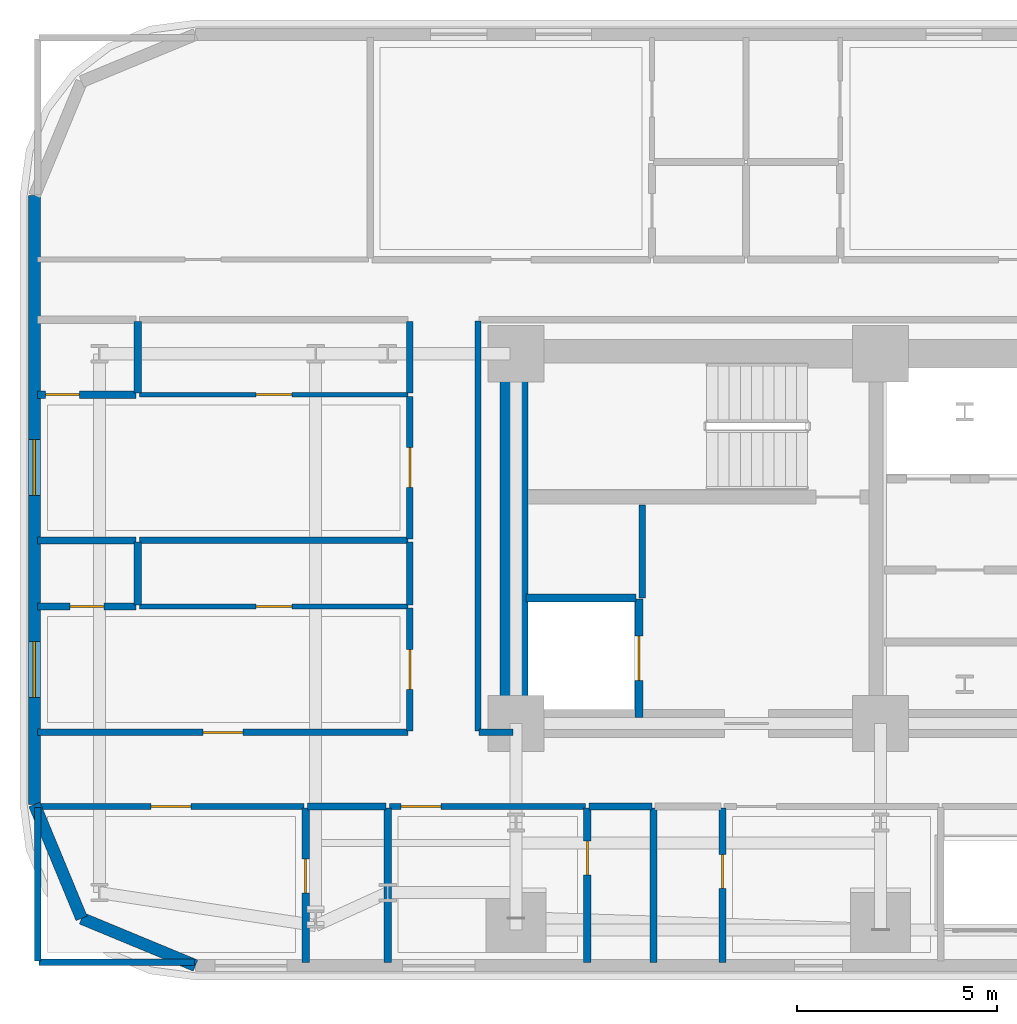
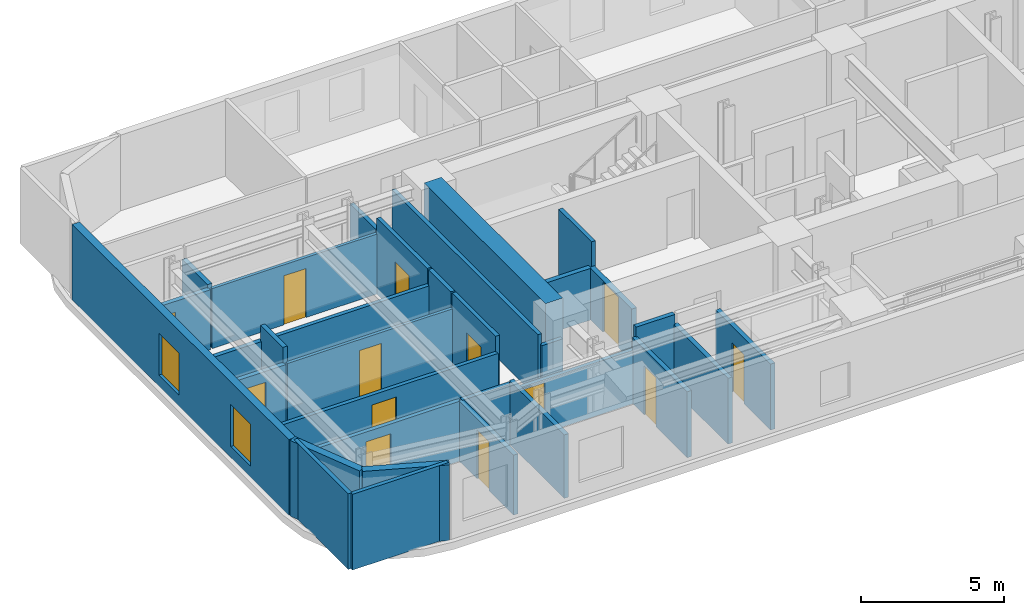
# One storey, part 7 of 15: 33 walls, 13 doors, 2 windows, 15 openings.
"""IFC4 building model written with IfcOpenShell, lengths in metres."""

from ifc_helpers import new_model, si_unit, direction, frame, frame_2d, origin, place, context, subcontext, project, spatial, rectangle, extrude, material, layer, layer_set, type_object, element, fill, save


model = new_model("IFC4")

# Units and contexts
model_context = context("Model", 3, precision=1e-05, world=origin(), true_north=direction((0.0, 1.0)))
body_context = subcontext(model_context, "Body", "Model", "MODEL_VIEW")
ifc_project = project(units=[si_unit("LENGTHUNIT", "METRE"), si_unit("AREAUNIT", "SQUARE_METRE"), si_unit("VOLUMEUNIT", "CUBIC_METRE"), si_unit("PLANEANGLEUNIT", "RADIAN"), si_unit("MASSUNIT", "GRAM", prefix="KILO")], contexts=[model_context])

# Site, building, storey
site_placement = place(None, origin())
site = spatial("IfcSite", under=ifc_project, at=site_placement, CompositionType="ELEMENT")
building_placement = place(site_placement, origin())
building = spatial("IfcBuilding", under=site, at=building_placement, Name="Zarnavel Station Tower", CompositionType="ELEMENT")
storey_placement = place(building_placement, frame((0.0, 0.0, 36.0)))
storey = spatial("IfcBuildingStorey", under=building, at=storey_placement, Name="L09", CompositionType="ELEMENT", Elevation=36.0)

# Wall
ifc_material_1 = material(Name="Concrete C60/75", Category="concrete")
ifc_layer_1 = layer(ifc_material_1, 0.699951171875)
ifc_layer_set_1 = layer_set([ifc_layer_1], Name="CW_700")
wall_type_1 = type_object("IfcWallType", Name="CW_700", PredefinedType="SHEAR", material=ifc_layer_set_1)
wall_1_placement = place(storey_placement, frame((12.14990234375, 28.169921875, 0.0), z_axis=(0.0, 0.0, 1.0), x_axis=(0.0, 1.0, 0.0)))
element("IfcWall", 1, at=wall_1_placement, inside=storey, type_object=wall_type_1, Name="L09 Rear Core Shear Wall W", PredefinedType="SHEAR", context=body_context, shape_type="SweptSolid", body=[
    extrude(rectangle(XDim=8.530029296875, YDim=0.699951171875, at=frame_2d((4.26513671875, 0.0))), origin(), (0.0, 0.0, 1.0), 3.5),
])

# Wall, openings, windows
ifc_material_2 = material(Name="Precast concrete C45/55 (Dark Basalt Finish)", Category="masonry")
ifc_layer_2 = layer(ifc_material_2, 0.300048828125)
ifc_layer_set_2 = layer_set([ifc_layer_2], Name="EW_BASALT_300")
wall_type_2 = type_object("IfcWallType", Name="EW_BASALT_300", PredefinedType="SOLIDWALL", material=ifc_layer_set_2)
wall_2_placement = place(storey_placement, frame((0.179931640625, 25.800048828125, 0.0), z_axis=(0.0, 0.0, 1.0), x_axis=(0.0, 1.0, 0.0)))
wall_2 = element("IfcWall", 2, at=wall_2_placement, inside=storey, type_object=wall_type_2, Name="L09 Exterior Basalt Masonry Frame Wall 09", PredefinedType="SOLIDWALL", context=body_context, shape_type="SweptSolid", body=[
    extrude(rectangle(XDim=15.199951171875, YDim=0.300048828125, at=frame_2d((7.60009765625, 0.0))), origin(), (0.0, 0.0, 1.0), 3.239990234375),
])
opening_1_placement = place(wall_2_placement, frame((2.67041015625, 0.0, 0.47998046875)))
opening_1 = element("IfcOpeningElement", 3, at=opening_1_placement, cuts=wall_2, Name="Opening WN01", PredefinedType="OPENING", context=body_context, shape_type="SweptSolid", body=[
    extrude(rectangle(XDim=1.39990234375, YDim=1.800048828125, at=frame_2d((0.699951171875, 0.89990234375))), frame((0.0, 0.159912109375, 0.0), z_axis=(0.0, -1.0, 0.0), x_axis=(1.0, 0.0, 0.0)), (0.0, 0.0, 1.0), 0.320068359375),
])
opening_2_placement = place(wall_2_placement, frame((7.708984375, 0.0, 0.47998046875)))
opening_2 = element("IfcOpeningElement", 4, at=opening_2_placement, cuts=wall_2, Name="Opening WN01", PredefinedType="OPENING", context=body_context, shape_type="SweptSolid", body=[
    extrude(rectangle(XDim=1.39990234375, YDim=1.800048828125, at=frame_2d((0.699951171875, 0.89990234375))), frame((0.0, 0.159912109375, 0.0), z_axis=(0.0, -1.0, 0.0), x_axis=(1.0, 0.0, 0.0)), (0.0, 0.0, 1.0), 0.320068359375),
])
ifc_material_3 = material(Name="Thermally Broken Black Aluminium and Low-E Dark Glass", Category="aluminium")
window_type = type_object("IfcWindowType", Name="WN_1400x1800", PartitioningType="DOUBLE_PANEL_VERTICAL", PredefinedType="WINDOW", material=ifc_material_3)
window_1_placement = place(opening_1_placement, origin())
window_1 = element("IfcWindow", 5, at=window_1_placement, inside=storey, type_object=window_type, Name="L09 Recessed Facade Window 01", OverallHeight=1.800048828125, OverallWidth=1.39990234375, PartitioningType="SINGLE_PANEL", PredefinedType="WINDOW", context=body_context, shape_type="SweptSolid", body=[
    extrude(rectangle(XDim=1.39990234375, YDim=1.800048828125, at=frame_2d((0.699951171875, 0.89990234375))), frame((0.0, 0.030029296875, 0.0), z_axis=(0.0, -1.0, 0.0), x_axis=(1.0, 0.0, 0.0)), (0.0, 0.0, 1.0), 0.06005859375),
])
fill(opening_1, window_1)
window_2_placement = place(opening_2_placement, origin())
window_2 = element("IfcWindow", 6, at=window_2_placement, inside=storey, type_object=window_type, Name="L09 Recessed Facade Window 02", OverallHeight=1.800048828125, OverallWidth=1.39990234375, PartitioningType="SINGLE_PANEL", PredefinedType="WINDOW", context=body_context, shape_type="SweptSolid", body=[
    extrude(rectangle(XDim=1.39990234375, YDim=1.800048828125, at=frame_2d((0.699951171875, 0.89990234375))), frame((0.0, 0.030029296875, 0.0), z_axis=(0.0, -1.0, 0.0), x_axis=(1.0, 0.0, 0.0)), (0.0, 0.0, 1.0), 0.06005859375),
])
fill(opening_2, window_2)

# Walls
for number, where, z_axis, x_axis, name in (
    (7, (1.357421875, 22.95751953125, 0.0), (0.0, 0.0, 1.0), (-0.382704529509, 0.923870793506, 0.0), "L09 Exterior Basalt Masonry Frame Wall 10"),
    (8, (4.199951171875, 21.780029296875, 0.0), (0.0, 0.0, 1.0), (-0.923870793506, 0.382704529509, 0.0), "L09 Exterior Basalt Masonry Frame Wall 11"),
):
    element("IfcWall", number, at=place(storey_placement, frame(where, z_axis=z_axis, x_axis=x_axis)), inside=storey, type_object=wall_type_2, Name=name, PredefinedType="SOLIDWALL", context=body_context, shape_type="SweptSolid", body=[
        extrude(rectangle(XDim=3.07666015625, YDim=0.300048828125, at=frame_2d((1.538330078125, 0.0))), origin(), (0.0, 0.0, 1.0), 3.239990234375),
    ])

# Wall, opening, door
ifc_material_4 = material(Name="Gypsum Twin-Stud Acoustic Fire Partition", Category="concrete")
ifc_layer_3 = layer(ifc_material_4, 0.159912109375)
ifc_layer_set_3 = layer_set([ifc_layer_3], Name="PT_DEMISE_160")
wall_type_3 = type_object("IfcWallType", Name="PT_DEMISE_160", PredefinedType="PARTITIONING", material=ifc_layer_set_3)
wall_3_placement = place(storey_placement, frame((0.260009765625, 27.60009765625, 0.0), z_axis=(0.0, 0.0, 1.0), x_axis=(1.0, 0.0, 0.0)))
wall_3 = element("IfcWall", 9, at=wall_3_placement, inside=storey, type_object=wall_type_3, Name="L09 Partition COR-S-FNW1R", PredefinedType="PARTITIONING", context=body_context, shape_type="SweptSolid", body=[
    extrude(rectangle(XDim=9.25, YDim=0.159912109375, at=frame_2d((4.625, 0.0))), origin(), (0.0, 0.0, 1.0), 2.570068359375),
])
opening_3_placement = place(wall_3_placement, frame((4.125, 0.0, 0.0)))
opening_3 = element("IfcOpeningElement", 10, at=opening_3_placement, cuts=wall_3, Name="Opening FD02", PredefinedType="OPENING", context=body_context, shape_type="SweptSolid", body=[
    extrude(rectangle(XDim=1.0, YDim=2.14990234375, at=frame_2d((0.5, 1.074951171875))), frame((0.0, 0.08984375, 0.0), z_axis=(0.0, -1.0, 0.0), x_axis=(1.0, 0.0, 0.0)), (0.0, 0.0, 1.0), 0.179931640625),
])
ifc_material_5 = material(Name="Painted Galvanised Steel and Hardwood Leaf", Category="steel")
door_type_1 = type_object("IfcDoorType", Name="ID_ENTRY_1000", OperationType="NOTDEFINED", PredefinedType="DOOR", material=ifc_material_5)
door_1_placement = place(opening_3_placement, origin())
door_1 = element("IfcDoor", 11, at=door_1_placement, inside=storey, type_object=door_type_1, Name="L09 Door COR-S-FNW1R", OperationType="SINGLE_SWING_RIGHT", OverallHeight=2.14990234375, OverallWidth=1.0, PredefinedType="DOOR", context=body_context, shape_type="SweptSolid", body=[
    extrude(rectangle(XDim=1.0, YDim=2.14990234375, at=frame_2d((0.5, 1.074951171875))), frame((0.0, 0.02490234375, 0.0), z_axis=(0.0, -1.0, 0.0), x_axis=(1.0, 0.0, 0.0)), (0.0, 0.0, 1.0), 0.050048828125),
])
fill(opening_3, door_1)

wall_4_placement = place(storey_placement, frame((0.260009765625, 25.75, 0.0), z_axis=(0.0, 0.0, 1.0), x_axis=(1.0, 0.0, 0.0)))
wall_4 = element("IfcWall", 12, at=wall_4_placement, inside=storey, type_object=wall_type_3, Name="L09 Partition COR-S-HW1R", PredefinedType="PARTITIONING", context=body_context, shape_type="SweptSolid", body=[
    extrude(rectangle(XDim=6.64990234375, YDim=0.159912109375, at=frame_2d((3.324951171875, 0.0))), origin(), (0.0, 0.0, 1.0), 2.570068359375),
])
opening_4_placement = place(wall_4_placement, frame((2.824951171875, 0.0, 0.0)))
opening_4 = element("IfcOpeningElement", 13, at=opening_4_placement, cuts=wall_4, Name="Opening FD02", PredefinedType="OPENING", context=body_context, shape_type="SweptSolid", body=[
    extrude(rectangle(XDim=1.0, YDim=2.14990234375, at=frame_2d((0.5, 1.074951171875))), frame((0.0, 0.08984375, 0.0), z_axis=(0.0, -1.0, 0.0), x_axis=(1.0, 0.0, 0.0)), (0.0, 0.0, 1.0), 0.179931640625),
])
door_2_placement = place(opening_4_placement, origin())
door_2 = element("IfcDoor", 14, at=door_2_placement, inside=storey, type_object=door_type_1, Name="L09 Door COR-S-HW1R", OperationType="SINGLE_SWING_RIGHT", OverallHeight=2.14990234375, OverallWidth=1.0, PredefinedType="DOOR", context=body_context, shape_type="SweptSolid", body=[
    extrude(rectangle(XDim=1.0, YDim=2.14990234375, at=frame_2d((0.5, 1.074951171875))), frame((0.0, 0.02490234375, 0.0), z_axis=(0.0, -1.0, 0.0), x_axis=(1.0, 0.0, 0.0)), (0.0, 0.0, 1.0), 0.050048828125),
])
fill(opening_4, door_2)

wall_5_placement = place(storey_placement, frame((9.0400390625, 25.75, 0.0), z_axis=(0.0, 0.0, 1.0), x_axis=(1.0, 0.0, 0.0)))
wall_5 = element("IfcWall", 15, at=wall_5_placement, inside=storey, type_object=wall_type_3, Name="L09 Partition COR-S-HW2R", PredefinedType="PARTITIONING", context=body_context, shape_type="SweptSolid", body=[
    extrude(rectangle(XDim=4.89892578125, YDim=0.159912109375, at=frame_2d((2.449462890625, 0.0))), origin(), (0.0, 0.0, 1.0), 2.280029296875),
])
opening_5_placement = place(wall_5_placement, frame((0.290771484375, 0.0, 0.0)))
opening_5 = element("IfcOpeningElement", 16, at=opening_5_placement, cuts=wall_5, Name="Opening FD02", PredefinedType="OPENING", context=body_context, shape_type="SweptSolid", body=[
    extrude(rectangle(XDim=1.0, YDim=2.14990234375, at=frame_2d((0.5, 1.074951171875))), frame((0.0, 0.08984375, 0.0), z_axis=(0.0, -1.0, 0.0), x_axis=(1.0, 0.0, 0.0)), (0.0, 0.0, 1.0), 0.179931640625),
])
door_3_placement = place(opening_5_placement, origin())
door_3 = element("IfcDoor", 17, at=door_3_placement, inside=storey, type_object=door_type_1, Name="L09 Door COR-S-HW2R", OperationType="SINGLE_SWING_LEFT", OverallHeight=2.14990234375, OverallWidth=1.0, PredefinedType="DOOR", context=body_context, shape_type="SweptSolid", body=[
    extrude(rectangle(XDim=1.0, YDim=2.14990234375, at=frame_2d((0.5, 1.074951171875))), frame((0.0, 0.02490234375, 0.0), z_axis=(0.0, -1.0, 0.0), x_axis=(1.0, 0.0, 0.0)), (0.0, 0.0, 1.0), 0.050048828125),
])
fill(opening_5, door_3)

wall_6_placement = place(storey_placement, frame((9.550048828125, 27.639892578125, 0.0), z_axis=(0.0, 0.0, 1.0), x_axis=(0.0, 1.0, 0.0)))
wall_6 = element("IfcWall", 18, at=wall_6_placement, inside=storey, type_object=wall_type_3, Name="L09 Partition COR-W-FNW1R", PredefinedType="PARTITIONING", context=body_context, shape_type="SweptSolid", body=[
    extrude(rectangle(XDim=3.06103515625, YDim=0.159912109375, at=frame_2d((1.530517578125, 0.0))), origin(), (0.0, 0.0, 1.0), 3.239990234375),
])
opening_6_placement = place(wall_6_placement, frame((1.030517578125, 0.0, 0.0)))
opening_6 = element("IfcOpeningElement", 19, at=opening_6_placement, cuts=wall_6, Name="Opening FD02", PredefinedType="OPENING", context=body_context, shape_type="SweptSolid", body=[
    extrude(rectangle(XDim=1.0, YDim=2.14990234375, at=frame_2d((0.5, 1.074951171875))), frame((0.0, 0.08984375, 0.0), z_axis=(0.0, -1.0, 0.0), x_axis=(1.0, 0.0, 0.0)), (0.0, 0.0, 1.0), 0.179931640625),
])
door_4_placement = place(opening_6_placement, origin())
door_4 = element("IfcDoor", 20, at=door_4_placement, inside=storey, type_object=door_type_1, Name="L09 Door COR-W-FNW1R", OperationType="SINGLE_SWING_RIGHT", OverallHeight=2.14990234375, OverallWidth=1.0, PredefinedType="DOOR", context=body_context, shape_type="SweptSolid", body=[
    extrude(rectangle(XDim=1.0, YDim=2.14990234375, at=frame_2d((0.5, 1.074951171875))), frame((0.0, 0.02490234375, 0.0), z_axis=(0.0, -1.0, 0.0), x_axis=(1.0, 0.0, 0.0)), (0.0, 0.0, 1.0), 0.050048828125),
])
fill(opening_6, door_4)

# Wall
wall_7_placement = place(storey_placement, frame((9.550048828125, 30.781005859375, 0.0), z_axis=(0.0, 0.0, 1.0), x_axis=(0.0, 1.0, 0.0)))
element("IfcWall", 21, at=wall_7_placement, inside=storey, type_object=wall_type_3, Name="L09 Partition COR-W-FNW1S", PredefinedType="PARTITIONING", context=body_context, shape_type="SweptSolid", body=[
    extrude(rectangle(XDim=1.570068359375, YDim=0.159912109375, at=frame_2d((0.78515625, 0.0))), origin(), (0.0, 0.0, 1.0), 3.239990234375),
])

# Wall, opening, door
wall_8_placement = place(storey_placement, frame((9.550048828125, 32.430908203125, 0.0), z_axis=(0.0, 0.0, 1.0), x_axis=(0.0, 1.0, 0.0)))
wall_8 = element("IfcWall", 22, at=wall_8_placement, inside=storey, type_object=wall_type_3, Name="L09 Partition COR-W-FNW2R", PredefinedType="PARTITIONING", context=body_context, shape_type="SweptSolid", body=[
    extrude(rectangle(XDim=3.55615234375, YDim=0.159912109375, at=frame_2d((1.778076171875, 0.0))), origin(), (0.0, 0.0, 1.0), 3.239990234375),
])
opening_7_placement = place(wall_8_placement, frame((1.278076171875, 0.0, 0.0)))
opening_7 = element("IfcOpeningElement", 23, at=opening_7_placement, cuts=wall_8, Name="Opening FD02", PredefinedType="OPENING", context=body_context, shape_type="SweptSolid", body=[
    extrude(rectangle(XDim=1.0, YDim=2.14990234375, at=frame_2d((0.5, 1.074951171875))), frame((0.0, 0.08984375, 0.0), z_axis=(0.0, -1.0, 0.0), x_axis=(1.0, 0.0, 0.0)), (0.0, 0.0, 1.0), 0.179931640625),
])
door_5_placement = place(opening_7_placement, origin())
door_5 = element("IfcDoor", 24, at=door_5_placement, inside=storey, type_object=door_type_1, Name="L09 Door COR-W-FNW2R", OperationType="SINGLE_SWING_LEFT", OverallHeight=2.14990234375, OverallWidth=1.0, PredefinedType="DOOR", context=body_context, shape_type="SweptSolid", body=[
    extrude(rectangle(XDim=1.0, YDim=2.14990234375, at=frame_2d((0.5, 1.074951171875))), frame((0.0, 0.02490234375, 0.0), z_axis=(0.0, -1.0, 0.0), x_axis=(1.0, 0.0, 0.0)), (0.0, 0.0, 1.0), 0.050048828125),
])
fill(opening_7, door_5)

# Walls
wall_9_placement = place(storey_placement, frame((9.550048828125, 36.06689453125, 0.0), z_axis=(0.0, 0.0, 1.0), x_axis=(0.0, 1.0, 0.0)))
element("IfcWall", 25, at=wall_9_placement, inside=storey, type_object=wall_type_3, Name="L09 Partition COR-W-FNW2S", PredefinedType="PARTITIONING", context=body_context, shape_type="SweptSolid", body=[
    extrude(rectangle(XDim=1.793212890625, YDim=0.159912109375, at=frame_2d((0.896484375, 0.0))), origin(), (0.0, 0.0, 1.0), 2.719970703125),
])
wall_10_placement = place(storey_placement, frame((2.800048828125, 32.39111328125, 0.0), z_axis=(0.0, 0.0, 1.0), x_axis=(1.0, 0.0, 0.0)))
element("IfcWall", 26, at=wall_10_placement, inside=storey, type_object=wall_type_3, Name="L09 Partition FNW1S-FNW2R", PredefinedType="PARTITIONING", context=body_context, shape_type="SweptSolid", body=[
    extrude(rectangle(XDim=6.7099609375, YDim=0.159912109375, at=frame_2d((3.35498046875, 0.0))), origin(), (0.0, 0.0, 1.0), 2.570068359375),
])
wall_11_placement = place(storey_placement, frame((15.35009765625, 30.9599609375, 0.0), z_axis=(0.0, 0.0, 1.0), x_axis=(0.0, 1.0, 0.0)))
element("IfcWall", 27, at=wall_11_placement, inside=storey, type_object=wall_type_3, Name="L09 Enclosure Wall FFL1", PredefinedType="PARTITIONING", context=body_context, shape_type="SweptSolid", body=[
    extrude(rectangle(XDim=2.31005859375, YDim=0.159912109375, at=frame_2d((1.155029296875, 0.0))), origin(), (0.0, 0.0, 1.0), 3.239990234375),
])
wall_12_placement = place(storey_placement, frame((11.280029296875, 27.60009765625, 0.0), z_axis=(0.0, 0.0, 1.0), x_axis=(1.0, 0.0, 0.0)))
element("IfcWall", 28, at=wall_12_placement, inside=storey, type_object=wall_type_3, Name="L09 Enclosure Wall COR-S", PredefinedType="PARTITIONING", context=body_context, shape_type="SweptSolid", body=[
    extrude(rectangle(XDim=0.840087890625, YDim=0.159912109375, at=frame_2d((0.419921875, 0.0))), origin(), (0.0, 0.0, 1.0), 2.280029296875),
])
wall_13_placement = place(storey_placement, frame((11.25, 27.6298828125, 0.0), z_axis=(0.0, 0.0, 1.0), x_axis=(0.0, 1.0, 0.0)))
element("IfcWall", 29, at=wall_13_placement, inside=storey, type_object=wall_type_3, Name="L09 Enclosure Wall COR-W", PredefinedType="PARTITIONING", context=body_context, shape_type="SweptSolid", body=[
    extrude(rectangle(XDim=10.240234375, YDim=0.159912109375, at=frame_2d((5.1201171875, 0.0))), origin(), (0.0, 0.0, 1.0), 2.719970703125),
])
wall_14_placement = place(storey_placement, frame((0.2900390625, 21.860107421875, 0.0), z_axis=(0.0, 0.0, 1.0), x_axis=(1.0, 0.0, 0.0)))
element("IfcWall", 30, at=wall_14_placement, inside=storey, type_object=wall_type_3, Name="L09 Enclosure Wall HW1R", PredefinedType="PARTITIONING", context=body_context, shape_type="SweptSolid", body=[
    extrude(rectangle(XDim=3.8798828125, YDim=0.159912109375, at=frame_2d((1.93994140625, 0.0))), origin(), (0.0, 0.0, 1.0), 3.239990234375),
])
wall_15_placement = place(storey_placement, frame((0.260009765625, 21.889892578125, 0.0), z_axis=(0.0, 0.0, 1.0), x_axis=(0.0, 1.0, 0.0)))
element("IfcWall", 31, at=wall_15_placement, inside=storey, type_object=wall_type_3, Name="L09 Enclosure Wall HW1R", PredefinedType="PARTITIONING", context=body_context, shape_type="SweptSolid", body=[
    extrude(rectangle(XDim=3.830078125, YDim=0.159912109375, at=frame_2d((1.9150390625, 0.0))), origin(), (0.0, 0.0, 1.0), 3.239990234375),
])

# Wall, opening, door
ifc_material_6 = material(Name="Gypsum Metal-Stud Interior Partition", Category="concrete")
ifc_layer_4 = layer(ifc_material_6, 0.1201171875)
ifc_layer_set_4 = layer_set([ifc_layer_4], Name="PT_ROOM_120")
wall_type_4 = type_object("IfcWallType", Name="PT_ROOM_120", PredefinedType="PARTITIONING", material=ifc_layer_set_4)
wall_16_placement = place(storey_placement, frame((2.800048828125, 30.740966796875, 0.0), z_axis=(0.0, 0.0, 1.0), x_axis=(1.0, 0.0, 0.0)))
wall_16 = element("IfcWall", 32, at=wall_16_placement, inside=storey, type_object=wall_type_4, Name="L09 Partition FNW1R-FNW1S", PredefinedType="PARTITIONING", context=body_context, shape_type="SweptSolid", body=[
    extrude(rectangle(XDim=6.7099609375, YDim=0.1201171875, at=frame_2d((3.35498046875, 0.0))), origin(), (0.0, 0.0, 1.0), 2.570068359375),
])
opening_8_placement = place(wall_16_placement, frame((2.905029296875, 0.0, 0.0)))
opening_8 = element("IfcOpeningElement", 33, at=opening_8_placement, cuts=wall_16, Name="Opening ID01", PredefinedType="OPENING", context=body_context, shape_type="SweptSolid", body=[
    extrude(rectangle(XDim=0.89990234375, YDim=2.10009765625, at=frame_2d((0.449951171875, 1.050048828125))), frame((0.0, 0.070068359375, 0.0), z_axis=(0.0, -1.0, 0.0), x_axis=(1.0, 0.0, 0.0)), (0.0, 0.0, 1.0), 0.14013671875),
])
ifc_material_7 = material(Name="Painted Galvanised Steel and Hardwood Leaf", Category="steel")
door_type_2 = type_object("IfcDoorType", Name="ID_ROOM_900", OperationType="NOTDEFINED", PredefinedType="DOOR", material=ifc_material_7)
door_6_placement = place(opening_8_placement, origin())
door_6 = element("IfcDoor", 34, at=door_6_placement, inside=storey, type_object=door_type_2, Name="L09 Door FNW1R-FNW1S", OperationType="SINGLE_SWING_LEFT", OverallHeight=2.10009765625, OverallWidth=0.89990234375, PredefinedType="DOOR", context=body_context, shape_type="SweptSolid", body=[
    extrude(rectangle(XDim=0.89990234375, YDim=2.10009765625, at=frame_2d((0.449951171875, 1.050048828125))), frame((0.0, 0.02490234375, 0.0), z_axis=(0.0, -1.0, 0.0), x_axis=(1.0, 0.0, 0.0)), (0.0, 0.0, 1.0), 0.050048828125),
])
fill(opening_8, door_6)

wall_17_placement = place(storey_placement, frame((2.800048828125, 36.027099609375, 0.0), z_axis=(0.0, 0.0, 1.0), x_axis=(1.0, 0.0, 0.0)))
wall_17 = element("IfcWall", 35, at=wall_17_placement, inside=storey, type_object=wall_type_4, Name="L09 Partition FNW2R-FNW2S", PredefinedType="PARTITIONING", context=body_context, shape_type="SweptSolid", body=[
    extrude(rectangle(XDim=6.7099609375, YDim=0.1201171875, at=frame_2d((3.35498046875, 0.0))), origin(), (0.0, 0.0, 1.0), 2.570068359375),
])
opening_9_placement = place(wall_17_placement, frame((2.905029296875, 0.0, 0.0)))
opening_9 = element("IfcOpeningElement", 36, at=opening_9_placement, cuts=wall_17, Name="Opening ID01", PredefinedType="OPENING", context=body_context, shape_type="SweptSolid", body=[
    extrude(rectangle(XDim=0.89990234375, YDim=2.10009765625, at=frame_2d((0.449951171875, 1.050048828125))), frame((0.0, 0.070068359375, 0.0), z_axis=(0.0, -1.0, 0.0), x_axis=(1.0, 0.0, 0.0)), (0.0, 0.0, 1.0), 0.14013671875),
])
door_7_placement = place(opening_9_placement, origin())
door_7 = element("IfcDoor", 37, at=door_7_placement, inside=storey, type_object=door_type_2, Name="L09 Door FNW2R-FNW2S", OperationType="SINGLE_SWING_LEFT", OverallHeight=2.10009765625, OverallWidth=0.89990234375, PredefinedType="DOOR", context=body_context, shape_type="SweptSolid", body=[
    extrude(rectangle(XDim=0.89990234375, YDim=2.10009765625, at=frame_2d((0.449951171875, 1.050048828125))), frame((0.0, 0.02490234375, 0.0), z_axis=(0.0, -1.0, 0.0), x_axis=(1.0, 0.0, 0.0)), (0.0, 0.0, 1.0), 0.050048828125),
])
fill(opening_9, door_7)

ifc_material_8 = material(Name="Precast concrete C45/55 (Fire Shaft Blockwork)", Category="masonry")
ifc_layer_5 = layer(ifc_material_8, 0.199951171875)
ifc_layer_set_5 = layer_set([ifc_layer_5], Name="PT_SHAFT_200")
wall_type_5 = type_object("IfcWallType", Name="PT_SHAFT_200", PredefinedType="PARTITIONING", material=ifc_layer_set_5)
wall_18_placement = place(storey_placement, frame((15.27001953125, 27.969970703125, 0.0), z_axis=(0.0, 0.0, 1.0), x_axis=(0.0, 1.0, 0.0)))
wall_18 = element("IfcWall", 38, at=wall_18_placement, inside=storey, type_object=wall_type_5, Name="L09 Lift FFL-01 Shaft Front Wall", PredefinedType="PARTITIONING", context=body_context, shape_type="SweptSolid", body=[
    extrude(rectangle(XDim=2.9599609375, YDim=0.199951171875, at=frame_2d((1.47998046875, 0.0))), origin(), (0.0, 0.0, 1.0), 2.2119140625),
])
opening_10_placement = place(wall_18_placement, frame((0.929931640625, 0.0, 0.0)))
opening_10 = element("IfcOpeningElement", 39, at=opening_10_placement, cuts=wall_18, Name="Opening LD01", PredefinedType="OPENING", context=body_context, shape_type="SweptSolid", body=[
    extrude(rectangle(XDim=1.10009765625, YDim=2.14990234375, at=frame_2d((0.550048828125, 1.074951171875))), frame((0.0, 0.10986328125, 0.0), z_axis=(0.0, -1.0, 0.0), x_axis=(1.0, 0.0, 0.0)), (0.0, 0.0, 1.0), 0.219970703125),
])
ifc_material_9 = material(Name="Painted Galvanised Steel and Hardwood Leaf", Category="steel")
door_type_3 = type_object("IfcDoorType", Name="LD_FF_1100", OperationType="DOUBLE_DOOR_SLIDING", PredefinedType="DOOR", material=ifc_material_9)
door_8_placement = place(opening_10_placement, origin())
door_8 = element("IfcDoor", 40, at=door_8_placement, inside=storey, type_object=door_type_3, Name="L09 Lift FFL-01 Sliding Landing Door", OperationType="DOUBLE_DOOR_SLIDING", OverallHeight=2.14990234375, OverallWidth=1.10009765625, PredefinedType="DOOR", context=body_context, shape_type="SweptSolid", body=[
    extrude(rectangle(XDim=1.10009765625, YDim=2.14990234375, at=frame_2d((0.550048828125, 1.074951171875))), frame((0.0, 0.02490234375, 0.0), z_axis=(0.0, -1.0, 0.0), x_axis=(1.0, 0.0, 0.0)), (0.0, 0.0, 1.0), 0.050048828125),
])
fill(opening_10, door_8)

# Walls
wall_19_placement = place(storey_placement, frame((12.449951171875, 30.949951171875, 0.0), z_axis=(0.0, 0.0, 1.0), x_axis=(1.0, 0.0, 0.0)))
element("IfcWall", 41, at=wall_19_placement, inside=storey, type_object=wall_type_5, Name="L09 Lift FFL-01 North Shaft Wall", PredefinedType="PARTITIONING", context=body_context, shape_type="SweptSolid", body=[
    extrude(rectangle(XDim=2.75, YDim=0.199951171875, at=frame_2d((1.375, 0.0))), origin(), (0.0, 0.0, 1.0), 2.2119140625),
])
ifc_material_10 = material(Name="Moisture-Resistant Plumbing Chase Wall", Category="concrete")
ifc_layer_6 = layer(ifc_material_10, 0.179931640625)
ifc_layer_set_6 = layer_set([ifc_layer_6], Name="PW_PLUMB_180")
wall_type_6 = type_object("IfcWallType", Name="PW_PLUMB_180", PredefinedType="PLUMBINGWALL", material=ifc_layer_set_6)
wall_20_placement = place(storey_placement, frame((6.989990234375, 25.75, 0.0), z_axis=(0.0, 0.0, 1.0), x_axis=(1.0, 0.0, 0.0)))
element("IfcWall", 42, at=wall_20_placement, inside=storey, type_object=wall_type_6, Name="L09 Partition COR-S-HW1B", PredefinedType="PLUMBINGWALL", context=body_context, shape_type="SweptSolid", body=[
    extrude(rectangle(XDim=1.969970703125, YDim=0.179931640625, at=frame_2d((0.98486328125, 0.0))), origin(), (0.0, 0.0, 1.0), 2.570068359375),
])
wall_21_placement = place(storey_placement, frame((14.01904296875, 25.75, 0.0), z_axis=(0.0, 0.0, 1.0), x_axis=(1.0, 0.0, 0.0)))
element("IfcWall", 43, at=wall_21_placement, inside=storey, type_object=wall_type_6, Name="L09 Partition COR-S-HW2B", PredefinedType="PLUMBINGWALL", context=body_context, shape_type="SweptSolid", body=[
    extrude(rectangle(XDim=1.570068359375, YDim=0.179931640625, at=frame_2d((0.78515625, 0.0))), origin(), (0.0, 0.0, 1.0), 3.239990234375),
])

# Wall, opening, door
wall_22_placement = place(storey_placement, frame((0.260009765625, 30.740966796875, 0.0), z_axis=(0.0, 0.0, 1.0), x_axis=(1.0, 0.0, 0.0)))
wall_22 = element("IfcWall", 44, at=wall_22_placement, inside=storey, type_object=wall_type_6, Name="L09 Partition FNW1R-FNW1B", PredefinedType="PLUMBINGWALL", context=body_context, shape_type="SweptSolid", body=[
    extrude(rectangle(XDim=2.4599609375, YDim=0.179931640625, at=frame_2d((1.22998046875, 0.0))), origin(), (0.0, 0.0, 1.0), 2.570068359375),
])
opening_11_placement = place(wall_22_placement, frame((0.804931640625, 0.0, 0.0)))
opening_11 = element("IfcOpeningElement", 45, at=opening_11_placement, cuts=wall_22, Name="Opening ID02", PredefinedType="OPENING", context=body_context, shape_type="SweptSolid", body=[
    extrude(rectangle(XDim=0.85009765625, YDim=2.10009765625, at=frame_2d((0.425048828125, 1.050048828125))), frame((0.0, 0.099853515625, 0.0), z_axis=(0.0, -1.0, 0.0), x_axis=(1.0, 0.0, 0.0)), (0.0, 0.0, 1.0), 0.199951171875),
])
ifc_material_11 = material(Name="Painted Galvanised Steel and Hardwood Leaf", Category="steel")
door_type_4 = type_object("IfcDoorType", Name="ID_BATH_850", OperationType="NOTDEFINED", PredefinedType="DOOR", material=ifc_material_11)
door_9_placement = place(opening_11_placement, origin())
door_9 = element("IfcDoor", 46, at=door_9_placement, inside=storey, type_object=door_type_4, Name="L09 Door FNW1R-FNW1B", OperationType="SINGLE_SWING_RIGHT", OverallHeight=2.10009765625, OverallWidth=0.85009765625, PredefinedType="DOOR", context=body_context, shape_type="SweptSolid", body=[
    extrude(rectangle(XDim=0.85009765625, YDim=2.10009765625, at=frame_2d((0.425048828125, 1.050048828125))), frame((0.0, 0.02490234375, 0.0), z_axis=(0.0, -1.0, 0.0), x_axis=(1.0, 0.0, 0.0)), (0.0, 0.0, 1.0), 0.050048828125),
])
fill(opening_11, door_9)

# Walls
wall_23_placement = place(storey_placement, frame((2.760009765625, 30.781005859375, 0.0), z_axis=(0.0, 0.0, 1.0), x_axis=(0.0, 1.0, 0.0)))
element("IfcWall", 47, at=wall_23_placement, inside=storey, type_object=wall_type_6, Name="L09 Partition FNW1B-FNW1S", PredefinedType="PLUMBINGWALL", context=body_context, shape_type="SweptSolid", body=[
    extrude(rectangle(XDim=1.570068359375, YDim=0.179931640625, at=frame_2d((0.78515625, 0.0))), origin(), (0.0, 0.0, 1.0), 3.239990234375),
])
wall_24_placement = place(storey_placement, frame((0.260009765625, 32.39111328125, 0.0), z_axis=(0.0, 0.0, 1.0), x_axis=(1.0, 0.0, 0.0)))
element("IfcWall", 48, at=wall_24_placement, inside=storey, type_object=wall_type_6, Name="L09 Partition FNW1B-FNW2R", PredefinedType="PLUMBINGWALL", context=body_context, shape_type="SweptSolid", body=[
    extrude(rectangle(XDim=2.4599609375, YDim=0.179931640625, at=frame_2d((1.22998046875, 0.0))), origin(), (0.0, 0.0, 1.0), 2.570068359375),
])

# Wall, opening, door
wall_25_placement = place(storey_placement, frame((2.719970703125, 36.027099609375, 0.0), z_axis=(0.0, 0.0, 1.0), x_axis=(-1.0, 0.0, 0.0)))
wall_25 = element("IfcWall", 49, at=wall_25_placement, inside=storey, type_object=wall_type_6, Name="L09 Partition FNW2R-FNW2B", PredefinedType="PLUMBINGWALL", context=body_context, shape_type="SweptSolid", body=[
    extrude(rectangle(XDim=2.4599609375, YDim=0.179931640625, at=frame_2d((1.22998046875, 0.0))), origin(), (0.0, 0.0, 1.0), 2.570068359375),
])
opening_12_placement = place(wall_25_placement, frame((1.41455078125, 0.0, 0.0)))
opening_12 = element("IfcOpeningElement", 50, at=opening_12_placement, cuts=wall_25, Name="Opening ID02", PredefinedType="OPENING", context=body_context, shape_type="SweptSolid", body=[
    extrude(rectangle(XDim=0.85009765625, YDim=2.10009765625, at=frame_2d((0.425048828125, 1.050048828125))), frame((0.0, 0.099853515625, 0.0), z_axis=(0.0, -1.0, 0.0), x_axis=(1.0, 0.0, 0.0)), (0.0, 0.0, 1.0), 0.199951171875),
])
door_10_placement = place(opening_12_placement, origin())
door_10 = element("IfcDoor", 51, at=door_10_placement, inside=storey, type_object=door_type_4, Name="L09 Door FNW2R-FNW2B", OperationType="SINGLE_SWING_RIGHT", OverallHeight=2.10009765625, OverallWidth=0.85009765625, PredefinedType="DOOR", context=body_context, shape_type="SweptSolid", body=[
    extrude(rectangle(XDim=0.85009765625, YDim=2.10009765625, at=frame_2d((0.425048828125, 1.050048828125))), frame((0.0, 0.02490234375, 0.0), z_axis=(0.0, -1.0, 0.0), x_axis=(1.0, 0.0, 0.0)), (0.0, 0.0, 1.0), 0.050048828125),
])
fill(opening_12, door_10)

# Wall
wall_26_placement = place(storey_placement, frame((2.760009765625, 36.06689453125, 0.0), z_axis=(0.0, 0.0, 1.0), x_axis=(0.0, 1.0, 0.0)))
element("IfcWall", 52, at=wall_26_placement, inside=storey, type_object=wall_type_6, Name="L09 Partition FNW2B-FNW2S", PredefinedType="PLUMBINGWALL", context=body_context, shape_type="SweptSolid", body=[
    extrude(rectangle(XDim=1.793212890625, YDim=0.179931640625, at=frame_2d((0.896484375, 0.0))), origin(), (0.0, 0.0, 1.0), 2.719970703125),
])

# Wall, opening, door
wall_27_placement = place(storey_placement, frame((6.949951171875, 25.7099609375, 0.0), z_axis=(0.0, 0.0, 1.0), x_axis=(0.0, -1.0, 0.0)))
wall_27 = element("IfcWall", 53, at=wall_27_placement, inside=storey, type_object=wall_type_6, Name="L09 Partition HW1R-HW1B", PredefinedType="PLUMBINGWALL", context=body_context, shape_type="SweptSolid", body=[
    extrude(rectangle(XDim=3.849853515625, YDim=0.179931640625, at=frame_2d((1.9248046875, 0.0))), origin(), (0.0, 0.0, 1.0), 2.570068359375),
])
opening_13_placement = place(wall_27_placement, frame((1.273193359375, 0.0, 0.0)))
opening_13 = element("IfcOpeningElement", 54, at=opening_13_placement, cuts=wall_27, Name="Opening ID02", PredefinedType="OPENING", context=body_context, shape_type="SweptSolid", body=[
    extrude(rectangle(XDim=0.85009765625, YDim=2.10009765625, at=frame_2d((0.425048828125, 1.050048828125))), frame((0.0, 0.099853515625, 0.0), z_axis=(0.0, -1.0, 0.0), x_axis=(1.0, 0.0, 0.0)), (0.0, 0.0, 1.0), 0.199951171875),
])
door_11_placement = place(opening_13_placement, origin())
door_11 = element("IfcDoor", 55, at=door_11_placement, inside=storey, type_object=door_type_4, Name="L09 Door HW1R-HW1B", OperationType="SINGLE_SWING_RIGHT", OverallHeight=2.10009765625, OverallWidth=0.85009765625, PredefinedType="DOOR", context=body_context, shape_type="SweptSolid", body=[
    extrude(rectangle(XDim=0.85009765625, YDim=2.10009765625, at=frame_2d((0.425048828125, 1.050048828125))), frame((0.0, 0.02490234375, 0.0), z_axis=(0.0, -1.0, 0.0), x_axis=(1.0, 0.0, 0.0)), (0.0, 0.0, 1.0), 0.050048828125),
])
fill(opening_13, door_11)

# Wall
wall_28_placement = place(storey_placement, frame((9.0, 21.860107421875, 0.0), z_axis=(0.0, 0.0, 1.0), x_axis=(0.0, 1.0, 0.0)))
element("IfcWall", 56, at=wall_28_placement, inside=storey, type_object=wall_type_6, Name="L09 Partition HW1B-HW2R", PredefinedType="PLUMBINGWALL", context=body_context, shape_type="SweptSolid", body=[
    extrude(rectangle(XDim=3.849853515625, YDim=0.179931640625, at=frame_2d((1.9248046875, 0.0))), origin(), (0.0, 0.0, 1.0), 2.719970703125),
])

# Wall, opening, door
wall_29_placement = place(storey_placement, frame((13.97900390625, 21.860107421875, 0.0), z_axis=(0.0, 0.0, 1.0), x_axis=(0.0, 1.0, 0.0)))
wall_29 = element("IfcWall", 57, at=wall_29_placement, inside=storey, type_object=wall_type_6, Name="L09 Partition HW2R-HW2B", PredefinedType="PLUMBINGWALL", context=body_context, shape_type="SweptSolid", body=[
    extrude(rectangle(XDim=3.849853515625, YDim=0.179931640625, at=frame_2d((1.9248046875, 0.0))), origin(), (0.0, 0.0, 1.0), 2.820068359375),
])
opening_14_placement = place(wall_29_placement, frame((2.179931640625, 0.0, 0.0)))
opening_14 = element("IfcOpeningElement", 58, at=opening_14_placement, cuts=wall_29, Name="Opening ID02", PredefinedType="OPENING", context=body_context, shape_type="SweptSolid", body=[
    extrude(rectangle(XDim=0.85009765625, YDim=2.10009765625, at=frame_2d((0.425048828125, 1.050048828125))), frame((0.0, 0.099853515625, 0.0), z_axis=(0.0, -1.0, 0.0), x_axis=(1.0, 0.0, 0.0)), (0.0, 0.0, 1.0), 0.199951171875),
])
door_12_placement = place(opening_14_placement, origin())
door_12 = element("IfcDoor", 59, at=door_12_placement, inside=storey, type_object=door_type_4, Name="L09 Door HW2R-HW2B", OperationType="SINGLE_SWING_LEFT", OverallHeight=2.10009765625, OverallWidth=0.85009765625, PredefinedType="DOOR", context=body_context, shape_type="SweptSolid", body=[
    extrude(rectangle(XDim=0.85009765625, YDim=2.10009765625, at=frame_2d((0.425048828125, 1.050048828125))), frame((0.0, 0.02490234375, 0.0), z_axis=(0.0, -1.0, 0.0), x_axis=(1.0, 0.0, 0.0)), (0.0, 0.0, 1.0), 0.050048828125),
])
fill(opening_14, door_12)

# Wall
wall_30_placement = place(storey_placement, frame((15.62890625, 21.860107421875, 0.0), z_axis=(0.0, 0.0, 1.0), x_axis=(0.0, 1.0, 0.0)))
element("IfcWall", 60, at=wall_30_placement, inside=storey, type_object=wall_type_6, Name="L09 Partition HW2B-HW3B", PredefinedType="PLUMBINGWALL", context=body_context, shape_type="SweptSolid", body=[
    extrude(rectangle(XDim=3.849853515625, YDim=0.179931640625, at=frame_2d((1.9248046875, 0.0))), origin(), (0.0, 0.0, 1.0), 2.820068359375),
])

# Wall, opening, door
wall_31_placement = place(storey_placement, frame((17.35009765625, 21.860107421875, 0.0), z_axis=(0.0, 0.0, 1.0), x_axis=(0.0, 1.0, 0.0)))
wall_31 = element("IfcWall", 61, at=wall_31_placement, inside=storey, type_object=wall_type_6, Name="L09 Partition HW3R-HW3B", PredefinedType="PLUMBINGWALL", context=body_context, shape_type="SweptSolid", body=[
    extrude(rectangle(XDim=3.849853515625, YDim=0.179931640625, at=frame_2d((1.9248046875, 0.0))), origin(), (0.0, 0.0, 1.0), 2.820068359375),
])
opening_15_placement = place(wall_31_placement, frame((1.840087890625, 0.0, 0.0)))
opening_15 = element("IfcOpeningElement", 62, at=opening_15_placement, cuts=wall_31, Name="Opening ID02", PredefinedType="OPENING", context=body_context, shape_type="SweptSolid", body=[
    extrude(rectangle(XDim=0.85009765625, YDim=2.10009765625, at=frame_2d((0.425048828125, 1.050048828125))), frame((0.0, 0.099853515625, 0.0), z_axis=(0.0, -1.0, 0.0), x_axis=(1.0, 0.0, 0.0)), (0.0, 0.0, 1.0), 0.199951171875),
])
door_13_placement = place(opening_15_placement, origin())
door_13 = element("IfcDoor", 63, at=door_13_placement, inside=storey, type_object=door_type_4, Name="L09 Door HW3R-HW3B", OperationType="SINGLE_SWING_RIGHT", OverallHeight=2.10009765625, OverallWidth=0.85009765625, PredefinedType="DOOR", context=body_context, shape_type="SweptSolid", body=[
    extrude(rectangle(XDim=0.85009765625, YDim=2.10009765625, at=frame_2d((0.425048828125, 1.050048828125))), frame((0.0, 0.02490234375, 0.0), z_axis=(0.0, -1.0, 0.0), x_axis=(1.0, 0.0, 0.0)), (0.0, 0.0, 1.0), 0.050048828125),
])
fill(opening_15, door_13)

save(model, "model.ifc")
